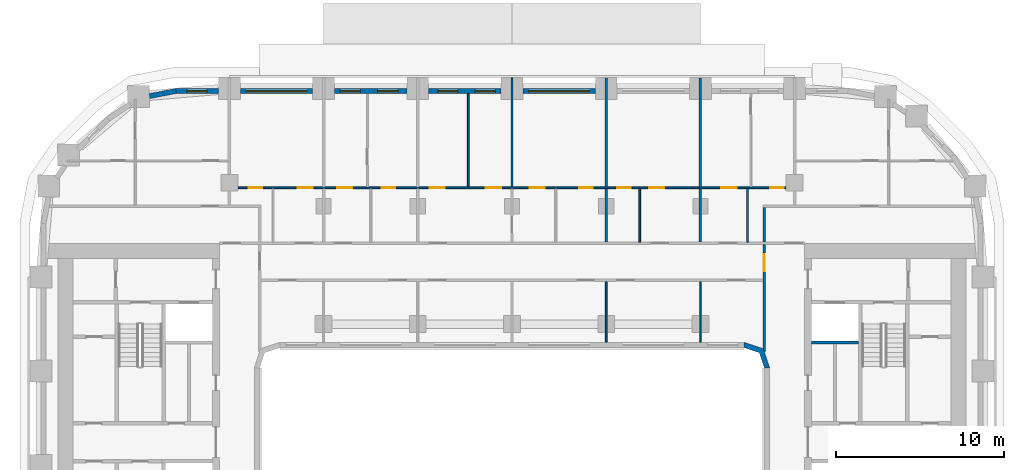
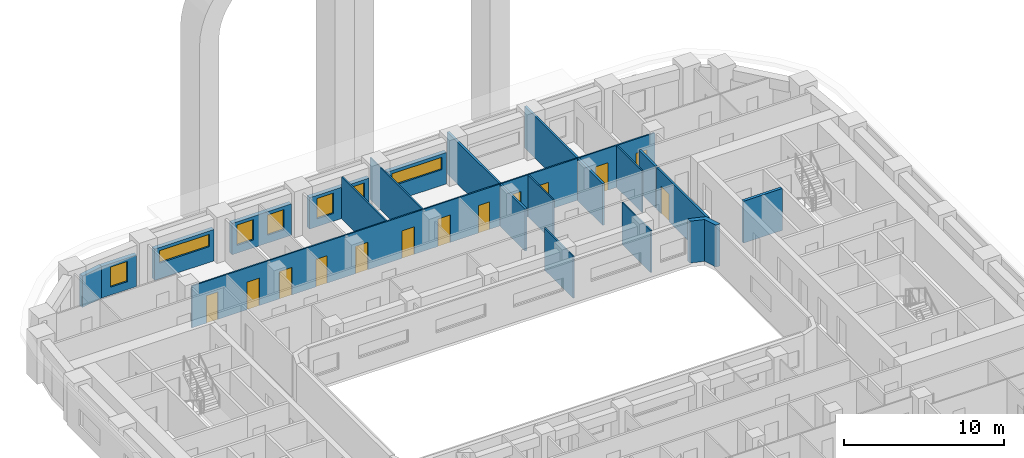
# One storey, part 9 of 19: 21 walls, 13 doors, 7 windows, 20 openings.
"""IFC4 building model written with IfcOpenShell, lengths in metres."""

from ifc_helpers import new_model, si_unit, direction, frame, frame_2d, origin, place, context, subcontext, project, spatial, polyline, rectangle, outline, extrude, material, layer, layer_set, type_object, element, fill, save


model = new_model("IFC4")

# Units and contexts
model_context = context("Model", 3, precision=1e-05, world=origin(), true_north=direction((0.0, 1.0)))
body_context = subcontext(model_context, "Body", "Model", "MODEL_VIEW")
ifc_project = project(units=[si_unit("LENGTHUNIT", "METRE"), si_unit("AREAUNIT", "SQUARE_METRE"), si_unit("VOLUMEUNIT", "CUBIC_METRE"), si_unit("PLANEANGLEUNIT", "RADIAN"), si_unit("MASSUNIT", "GRAM", prefix="KILO")], contexts=[model_context])

# Site, building, storey
site_placement = place(None, origin())
site = spatial("IfcSite", under=ifc_project, at=site_placement, CompositionType="ELEMENT")
building_placement = place(site_placement, origin())
building = spatial("IfcBuilding", under=site, at=building_placement, Name="Kiln Ring Residences", CompositionType="ELEMENT")
storey_placement = place(building_placement, frame((0.0, 0.0, 104.300048828125)))
storey = spatial("IfcBuildingStorey", under=building, at=storey_placement, Name="L26", CompositionType="ELEMENT", Elevation=104.300048828125)

# Wall
ifc_material_1 = material(Name="Gypsum shaft wall system")
ifc_layer_1 = layer(ifc_material_1, 0.199951171875)
ifc_layer_set_1 = layer_set([ifc_layer_1], Name="CORE-SHAFT-WALL-200")
wall_type_1 = type_object("IfcWallType", Name="CORE-SHAFT-WALL-200", PredefinedType="PARTITIONING", material=ifc_layer_set_1)
wall_1_placement = place(storey_placement, frame((17.800048828125, 7.300048828125, 0.0), z_axis=(0.0, 0.0, 1.0), x_axis=(1.0, 0.0, 0.0)))
element("IfcWall", 1, at=wall_1_placement, inside=storey, type_object=wall_type_1, Name="Core partition east L26 12", PredefinedType="PARTITIONING", context=body_context, shape_type="SweptSolid", body=[
    extrude(rectangle(XDim=2.800048828125, YDim=0.199951171875, at=frame_2d((1.39990234375, 0.0))), origin(), (0.0, 0.0, 1.0), 3.199951171875),
])

# Wall, opening, window
ifc_material_2 = material(Name="Brick masonry, dark clay brick", Category="masonry")
ifc_layer_2 = layer(ifc_material_2, 0.300048828125)
ifc_layer_set_2 = layer_set([ifc_layer_2], Name="EW-300 BRICK WALL")
wall_type_2 = type_object("IfcWallType", Name="EW-300 BRICK WALL", PredefinedType="SOLIDWALL", material=ifc_layer_set_2)
wall_2_placement = place(storey_placement, frame((4.949951171875, 22.25, 0.0), z_axis=(0.0, 0.0, 1.0), x_axis=(-1.0, 0.0, 0.0)))
wall_2 = element("IfcWall", 2, at=wall_2_placement, inside=storey, type_object=wall_type_2, Name="Facade wall L26 31", PredefinedType="SOLIDWALL", context=body_context, shape_type="SweptSolid", body=[
    extrude(rectangle(XDim=4.300048828125, YDim=0.300048828125, at=frame_2d((2.14990234375, 0.0))), origin(), (0.0, 0.0, 1.0), 2.39990234375),
])
opening_1_placement = place(wall_2_placement, frame((0.35009765625, 0.0, 1.199951171875)))
opening_1 = element("IfcOpeningElement", 3, at=opening_1_placement, cuts=wall_2, Name="Opening W4", PredefinedType="OPENING", context=body_context, shape_type="SweptSolid", body=[
    extrude(rectangle(XDim=3.60009765625, YDim=0.949951171875, at=frame_2d((1.800048828125, 0.47509765625))), frame((0.0, 0.159912109375, 0.0), z_axis=(0.0, -1.0, 0.0), x_axis=(1.0, 0.0, 0.0)), (0.0, 0.0, 1.0), 0.320068359375),
])
ifc_material_3 = material(Name="Aluminium frame with double glazing", Category="aluminium")
window_type_1 = type_object("IfcWindowType", Name="WINDOW 3600 x 950", PartitioningType="SINGLE_PANEL", PredefinedType="WINDOW", material=ifc_material_3)
window_1_placement = place(opening_1_placement, origin())
window_1 = element("IfcWindow", 4, at=window_1_placement, inside=storey, type_object=window_type_1, Name="Window L26 19", OverallHeight=0.949951171875, OverallWidth=3.60009765625, PartitioningType="SINGLE_PANEL", PredefinedType="WINDOW", context=body_context, shape_type="SweptSolid", body=[
    extrude(rectangle(XDim=3.60009765625, YDim=0.949951171875, at=frame_2d((1.800048828125, 0.47509765625))), frame((0.0, 0.030029296875, 0.0), z_axis=(0.0, -1.0, 0.0), x_axis=(1.0, 0.0, 0.0)), (0.0, 0.0, 1.0), 0.06005859375),
])
fill(opening_1, window_1)

# Wall, openings, windows
wall_3_placement = place(storey_placement, frame((-0.64990234375, 22.25, 0.0), z_axis=(0.0, 0.0, 1.0), x_axis=(-1.0, 0.0, 0.0)))
wall_3 = element("IfcWall", 5, at=wall_3_placement, inside=storey, type_object=wall_type_2, Name="Facade wall L26 32", PredefinedType="SOLIDWALL", context=body_context, shape_type="SweptSolid", body=[
    extrude(rectangle(XDim=4.300048828125, YDim=0.300048828125, at=frame_2d((2.14990234375, 0.0))), origin(), (0.0, 0.0, 1.0), 2.39990234375),
])
opening_2_placement = place(wall_3_placement, frame((0.33740234375, 0.0, 0.60009765625)))
opening_2 = element("IfcOpeningElement", 6, at=opening_2_placement, cuts=wall_3, Name="Opening W1", PredefinedType="OPENING", context=body_context, shape_type="SweptSolid", body=[
    extrude(rectangle(XDim=1.199951171875, YDim=1.550048828125, at=frame_2d((0.60009765625, 0.77490234375))), frame((0.0, 0.159912109375, 0.0), z_axis=(0.0, -1.0, 0.0), x_axis=(1.0, 0.0, 0.0)), (0.0, 0.0, 1.0), 0.320068359375),
])
opening_3_placement = place(wall_3_placement, frame((2.5625, 0.0, 0.60009765625)))
opening_3 = element("IfcOpeningElement", 7, at=opening_3_placement, cuts=wall_3, Name="Opening W1", PredefinedType="OPENING", context=body_context, shape_type="SweptSolid", body=[
    extrude(rectangle(XDim=1.199951171875, YDim=1.550048828125, at=frame_2d((0.60009765625, 0.77490234375))), frame((0.0, 0.159912109375, 0.0), z_axis=(0.0, -1.0, 0.0), x_axis=(1.0, 0.0, 0.0)), (0.0, 0.0, 1.0), 0.320068359375),
])
ifc_material_4 = material(Name="Aluminium frame with double glazing", Category="aluminium")
window_type_2 = type_object("IfcWindowType", Name="WINDOW 1200 x 1550", PartitioningType="SINGLE_PANEL", PredefinedType="WINDOW", material=ifc_material_4)
window_2_placement = place(opening_2_placement, origin())
window_2 = element("IfcWindow", 8, at=window_2_placement, inside=storey, type_object=window_type_2, Name="Window L26 20", OverallHeight=1.550048828125, OverallWidth=1.199951171875, PartitioningType="SINGLE_PANEL", PredefinedType="WINDOW", context=body_context, shape_type="SweptSolid", body=[
    extrude(rectangle(XDim=1.199951171875, YDim=1.550048828125, at=frame_2d((0.60009765625, 0.77490234375))), frame((0.0, 0.030029296875, 0.0), z_axis=(0.0, -1.0, 0.0), x_axis=(1.0, 0.0, 0.0)), (0.0, 0.0, 1.0), 0.06005859375),
])
fill(opening_2, window_2)
window_3_placement = place(opening_3_placement, origin())
window_3 = element("IfcWindow", 9, at=window_3_placement, inside=storey, type_object=window_type_2, Name="Window L26 21", OverallHeight=1.550048828125, OverallWidth=1.199951171875, PartitioningType="SINGLE_PANEL", PredefinedType="WINDOW", context=body_context, shape_type="SweptSolid", body=[
    extrude(rectangle(XDim=1.199951171875, YDim=1.550048828125, at=frame_2d((0.60009765625, 0.77490234375))), frame((0.0, 0.030029296875, 0.0), z_axis=(0.0, -1.0, 0.0), x_axis=(1.0, 0.0, 0.0)), (0.0, 0.0, 1.0), 0.06005859375),
])
fill(opening_3, window_3)

wall_4_placement = place(storey_placement, frame((-6.25, 22.25, 0.0), z_axis=(0.0, 0.0, 1.0), x_axis=(-1.0, 0.0, 0.0)))
wall_4 = element("IfcWall", 10, at=wall_4_placement, inside=storey, type_object=wall_type_2, Name="Facade wall L26 33", PredefinedType="SOLIDWALL", context=body_context, shape_type="SweptSolid", body=[
    extrude(rectangle(XDim=4.300048828125, YDim=0.300048828125, at=frame_2d((2.14990234375, 0.0))), origin(), (0.0, 0.0, 1.0), 2.39990234375),
])
opening_4_placement = place(wall_4_placement, frame((0.53759765625, 0.0, 0.60009765625)))
opening_4 = element("IfcOpeningElement", 11, at=opening_4_placement, cuts=wall_4, Name="Opening W1", PredefinedType="OPENING", context=body_context, shape_type="SweptSolid", body=[
    extrude(rectangle(XDim=1.199951171875, YDim=1.550048828125, at=frame_2d((0.60009765625, 0.77490234375))), frame((0.0, 0.159912109375, 0.0), z_axis=(0.0, -1.0, 0.0), x_axis=(1.0, 0.0, 0.0)), (0.0, 0.0, 1.0), 0.320068359375),
])
opening_5_placement = place(wall_4_placement, frame((2.762451171875, 0.0, 0.60009765625)))
opening_5 = element("IfcOpeningElement", 12, at=opening_5_placement, cuts=wall_4, Name="Opening W1", PredefinedType="OPENING", context=body_context, shape_type="SweptSolid", body=[
    extrude(rectangle(XDim=1.199951171875, YDim=1.550048828125, at=frame_2d((0.60009765625, 0.77490234375))), frame((0.0, 0.159912109375, 0.0), z_axis=(0.0, -1.0, 0.0), x_axis=(1.0, 0.0, 0.0)), (0.0, 0.0, 1.0), 0.320068359375),
])
window_4_placement = place(opening_4_placement, origin())
window_4 = element("IfcWindow", 13, at=window_4_placement, inside=storey, type_object=window_type_2, Name="Window L26 22", OverallHeight=1.550048828125, OverallWidth=1.199951171875, PartitioningType="SINGLE_PANEL", PredefinedType="WINDOW", context=body_context, shape_type="SweptSolid", body=[
    extrude(rectangle(XDim=1.199951171875, YDim=1.550048828125, at=frame_2d((0.60009765625, 0.77490234375))), frame((0.0, 0.030029296875, 0.0), z_axis=(0.0, -1.0, 0.0), x_axis=(1.0, 0.0, 0.0)), (0.0, 0.0, 1.0), 0.06005859375),
])
fill(opening_4, window_4)
window_5_placement = place(opening_5_placement, origin())
window_5 = element("IfcWindow", 14, at=window_5_placement, inside=storey, type_object=window_type_2, Name="Window L26 23", OverallHeight=1.550048828125, OverallWidth=1.199951171875, PartitioningType="SINGLE_PANEL", PredefinedType="WINDOW", context=body_context, shape_type="SweptSolid", body=[
    extrude(rectangle(XDim=1.199951171875, YDim=1.550048828125, at=frame_2d((0.60009765625, 0.77490234375))), frame((0.0, 0.030029296875, 0.0), z_axis=(0.0, -1.0, 0.0), x_axis=(1.0, 0.0, 0.0)), (0.0, 0.0, 1.0), 0.06005859375),
])
fill(opening_5, window_5)

# Wall, opening, window
wall_5_placement = place(storey_placement, frame((-11.85009765625, 22.25, 0.0), z_axis=(0.0, 0.0, 1.0), x_axis=(-1.0, 0.0, 0.0)))
wall_5 = element("IfcWall", 15, at=wall_5_placement, inside=storey, type_object=wall_type_2, Name="Facade wall L26 34", PredefinedType="SOLIDWALL", context=body_context, shape_type="SweptSolid", body=[
    extrude(rectangle(XDim=4.2998046875, YDim=0.300048828125, at=frame_2d((2.14990234375, 0.0))), origin(), (0.0, 0.0, 1.0), 2.39990234375),
])
opening_6_placement = place(wall_5_placement, frame((0.35009765625, 0.0, 1.199951171875)))
opening_6 = element("IfcOpeningElement", 16, at=opening_6_placement, cuts=wall_5, Name="Opening W4", PredefinedType="OPENING", context=body_context, shape_type="SweptSolid", body=[
    extrude(rectangle(XDim=3.60009765625, YDim=0.949951171875, at=frame_2d((1.800048828125, 0.47509765625))), frame((0.0, 0.159912109375, 0.0), z_axis=(0.0, -1.0, 0.0), x_axis=(1.0, 0.0, 0.0)), (0.0, 0.0, 1.0), 0.320068359375),
])
window_6_placement = place(opening_6_placement, origin())
window_6 = element("IfcWindow", 17, at=window_6_placement, inside=storey, type_object=window_type_1, Name="Window L26 24", OverallHeight=0.949951171875, OverallWidth=3.60009765625, PartitioningType="SINGLE_PANEL", PredefinedType="WINDOW", context=body_context, shape_type="SweptSolid", body=[
    extrude(rectangle(XDim=3.60009765625, YDim=0.949951171875, at=frame_2d((1.800048828125, 0.47509765625))), frame((0.0, 0.030029296875, 0.0), z_axis=(0.0, -1.0, 0.0), x_axis=(1.0, 0.0, 0.0)), (0.0, 0.0, 1.0), 0.06005859375),
])
fill(opening_6, window_6)

wall_6_placement = place(storey_placement, frame((-17.449951171875, 22.25, 0.0), z_axis=(0.0, 0.0, 1.0), x_axis=(-1.0, 0.0, 0.0)))
wall_6 = element("IfcWall", 18, at=wall_6_placement, inside=storey, type_object=wall_type_2, Name="Facade wall L26 35", PredefinedType="SOLIDWALL", context=body_context, shape_type="SweptSolid", body=[
    extrude(rectangle(XDim=2.550048828125, YDim=0.300048828125, at=frame_2d((1.27490234375, 0.0))), origin(), (0.0, 0.0, 1.0), 2.39990234375),
])
opening_7_placement = place(wall_6_placement, frame((0.675048828125, 0.0, 0.60009765625)))
opening_7 = element("IfcOpeningElement", 19, at=opening_7_placement, cuts=wall_6, Name="Opening W1", PredefinedType="OPENING", context=body_context, shape_type="SweptSolid", body=[
    extrude(rectangle(XDim=1.199951171875, YDim=1.550048828125, at=frame_2d((0.60009765625, 0.77490234375))), frame((0.0, 0.159912109375, 0.0), z_axis=(0.0, -1.0, 0.0), x_axis=(1.0, 0.0, 0.0)), (0.0, 0.0, 1.0), 0.320068359375),
])
window_7_placement = place(opening_7_placement, origin())
window_7 = element("IfcWindow", 20, at=window_7_placement, inside=storey, type_object=window_type_2, Name="Window L26 25", OverallHeight=1.550048828125, OverallWidth=1.199951171875, PartitioningType="SINGLE_PANEL", PredefinedType="WINDOW", context=body_context, shape_type="SweptSolid", body=[
    extrude(rectangle(XDim=1.199951171875, YDim=1.550048828125, at=frame_2d((0.60009765625, 0.77490234375))), frame((0.0, 0.030029296875, 0.0), z_axis=(0.0, -1.0, 0.0), x_axis=(1.0, 0.0, 0.0)), (0.0, 0.0, 1.0), 0.06005859375),
])
fill(opening_7, window_7)

# Walls
wall_7_placement = place(storey_placement, frame((-19.971923828125, 22.252685546875, 0.0), z_axis=(0.0, 0.0, 1.0), x_axis=(-0.982278644094, -0.187426426519, 0.0)))
element("IfcWall", 21, at=wall_7_placement, inside=storey, type_object=wall_type_2, Name="Facade wall L26 36", PredefinedType="SOLIDWALL", context=body_context, shape_type="SweptSolid", body=[
    extrude(rectangle(XDim=1.606201171875, YDim=0.300048828125, at=frame_2d((0.80322265625, 0.0))), origin(), (0.0, 0.0, 1.0), 2.39990234375),
])
wall_8_placement = place(storey_placement, origin())
element("IfcWall", 22, at=wall_8_placement, inside=storey, type_object=wall_type_2, Name="Corner wall L26 2", PredefinedType="SOLIDWALL", context=body_context, shape_type="SweptSolid", body=[
    extrude(outline(polyline([(14.937255859375, 6.937255859375), (13.8486328125, 7.300048828125), (13.800048828125, 7.300048828125), (13.800048828125, 7.0), (14.699951171875, 6.699951171875), (15.0, 5.800048828125), (15.300048828125, 5.800048828125), (15.300048828125, 5.8486328125), (14.937255859375, 6.937255859375)])), origin(), (0.0, 0.0, 1.0), 3.199951171875),
])

# Wall, openings, doors
ifc_material_5 = material(Name="Gypsum board on steel studs", Category="steel")
ifc_layer_3 = layer(ifc_material_5, 0.10009765625)
ifc_layer_set_3 = layer_set([ifc_layer_3], Name="PARTITION-100")
wall_type_3 = type_object("IfcWallType", Name="PARTITION-100", PredefinedType="PARTITIONING", material=ifc_layer_set_3)
wall_9_placement = place(storey_placement, frame((-16.72509765625, 16.5, 0.0), z_axis=(0.0, 0.0, 1.0), x_axis=(1.0, 0.0, 0.0)))
wall_9 = element("IfcWall", 23, at=wall_9_placement, inside=storey, type_object=wall_type_3, Name="Partition 011", PredefinedType="PARTITIONING", context=body_context, shape_type="SweptSolid", body=[
    extrude(rectangle(XDim=33.4501953125, YDim=0.10009765625, at=frame_2d((16.72509765625, 0.0))), origin(), (0.0, 0.0, 1.0), 3.199951171875),
])
opening_8_placement = place(wall_9_placement, frame((1.074951171875, 0.0, 0.0)))
opening_8 = element("IfcOpeningElement", 24, at=opening_8_placement, cuts=wall_9, Name="Opening L26-D016", PredefinedType="OPENING", context=body_context, shape_type="SweptSolid", body=[
    extrude(rectangle(XDim=0.800048828125, YDim=2.10009765625, at=frame_2d((0.39990234375, 1.050048828125))), frame((0.0, 0.06005859375, 0.0), z_axis=(0.0, -1.0, 0.0), x_axis=(1.0, 0.0, 0.0)), (0.0, 0.0, 1.0), 0.1201171875),
])
opening_9_placement = place(wall_9_placement, frame((3.97509765625, 0.0, 0.0)))
opening_9 = element("IfcOpeningElement", 25, at=opening_9_placement, cuts=wall_9, Name="Opening L26-D017", PredefinedType="OPENING", context=body_context, shape_type="SweptSolid", body=[
    extrude(rectangle(XDim=0.89990234375, YDim=2.10009765625, at=frame_2d((0.449951171875, 1.050048828125))), frame((0.0, 0.06005859375, 0.0), z_axis=(0.0, -1.0, 0.0), x_axis=(1.0, 0.0, 0.0)), (0.0, 0.0, 1.0), 0.1201171875),
])
opening_10_placement = place(wall_9_placement, frame((8.97509765625, 0.0, 0.0)))
opening_10 = element("IfcOpeningElement", 26, at=opening_10_placement, cuts=wall_9, Name="Opening L26-D019", PredefinedType="OPENING", context=body_context, shape_type="SweptSolid", body=[
    extrude(rectangle(XDim=0.800048828125, YDim=2.10009765625, at=frame_2d((0.39990234375, 1.050048828125))), frame((0.0, 0.06005859375, 0.0), z_axis=(0.0, -1.0, 0.0), x_axis=(1.0, 0.0, 0.0)), (0.0, 0.0, 1.0), 0.1201171875),
])
opening_11_placement = place(wall_9_placement, frame((6.324951171875, 0.0, 0.0)))
opening_11 = element("IfcOpeningElement", 27, at=opening_11_placement, cuts=wall_9, Name="Opening L26-D020", PredefinedType="OPENING", context=body_context, shape_type="SweptSolid", body=[
    extrude(rectangle(XDim=0.89990234375, YDim=2.10009765625, at=frame_2d((0.449951171875, 1.050048828125))), frame((0.0, 0.06005859375, 0.0), z_axis=(0.0, -1.0, 0.0), x_axis=(1.0, 0.0, 0.0)), (0.0, 0.0, 1.0), 0.1201171875),
])
opening_12_placement = place(wall_9_placement, frame((20.72509765625, 0.0, 0.0)))
opening_12 = element("IfcOpeningElement", 28, at=opening_12_placement, cuts=wall_9, Name="Opening L26-D024", PredefinedType="OPENING", context=body_context, shape_type="SweptSolid", body=[
    extrude(rectangle(XDim=0.800048828125, YDim=2.10009765625, at=frame_2d((0.39990234375, 1.050048828125))), frame((0.0, 0.06005859375, 0.0), z_axis=(0.0, -1.0, 0.0), x_axis=(1.0, 0.0, 0.0)), (0.0, 0.0, 1.0), 0.1201171875),
])
opening_13_placement = place(wall_9_placement, frame((17.77490234375, 0.0, 0.0)))
opening_13 = element("IfcOpeningElement", 29, at=opening_13_placement, cuts=wall_9, Name="Opening L26-D025", PredefinedType="OPENING", context=body_context, shape_type="SweptSolid", body=[
    extrude(rectangle(XDim=0.89990234375, YDim=2.10009765625, at=frame_2d((0.449951171875, 1.050048828125))), frame((0.0, 0.06005859375, 0.0), z_axis=(0.0, -1.0, 0.0), x_axis=(1.0, 0.0, 0.0)), (0.0, 0.0, 1.0), 0.1201171875),
])
opening_14_placement = place(wall_9_placement, frame((11.824951171875, 0.0, 0.0)))
opening_14 = element("IfcOpeningElement", 30, at=opening_14_placement, cuts=wall_9, Name="Opening L26-D026", PredefinedType="OPENING", context=body_context, shape_type="SweptSolid", body=[
    extrude(rectangle(XDim=0.89990234375, YDim=2.10009765625, at=frame_2d((0.449951171875, 1.050048828125))), frame((0.0, 0.06005859375, 0.0), z_axis=(0.0, -1.0, 0.0), x_axis=(1.0, 0.0, 0.0)), (0.0, 0.0, 1.0), 0.1201171875),
])
opening_15_placement = place(wall_9_placement, frame((15.175048828125, 0.0, 0.0)))
opening_15 = element("IfcOpeningElement", 31, at=opening_15_placement, cuts=wall_9, Name="Opening L26-D027", PredefinedType="OPENING", context=body_context, shape_type="SweptSolid", body=[
    extrude(rectangle(XDim=0.89990234375, YDim=2.10009765625, at=frame_2d((0.449951171875, 1.050048828125))), frame((0.0, 0.06005859375, 0.0), z_axis=(0.0, -1.0, 0.0), x_axis=(1.0, 0.0, 0.0)), (0.0, 0.0, 1.0), 0.1201171875),
])
opening_16_placement = place(wall_9_placement, frame((22.97509765625, 0.0, 0.0)))
opening_16 = element("IfcOpeningElement", 32, at=opening_16_placement, cuts=wall_9, Name="Opening L26-D029", PredefinedType="OPENING", context=body_context, shape_type="SweptSolid", body=[
    extrude(rectangle(XDim=0.800048828125, YDim=2.10009765625, at=frame_2d((0.39990234375, 1.050048828125))), frame((0.0, 0.06005859375, 0.0), z_axis=(0.0, -1.0, 0.0), x_axis=(1.0, 0.0, 0.0)), (0.0, 0.0, 1.0), 0.1201171875),
])
opening_17_placement = place(wall_9_placement, frame((24.875, 0.0, 0.0)))
opening_17 = element("IfcOpeningElement", 33, at=opening_17_placement, cuts=wall_9, Name="Opening L26-D030", PredefinedType="OPENING", context=body_context, shape_type="SweptSolid", body=[
    extrude(rectangle(XDim=0.89990234375, YDim=2.10009765625, at=frame_2d((0.449951171875, 1.050048828125))), frame((0.0, 0.06005859375, 0.0), z_axis=(0.0, -1.0, 0.0), x_axis=(1.0, 0.0, 0.0)), (0.0, 0.0, 1.0), 0.1201171875),
])
opening_18_placement = place(wall_9_placement, frame((32.074951171875, 0.0, 0.0)))
opening_18 = element("IfcOpeningElement", 34, at=opening_18_placement, cuts=wall_9, Name="Opening L26-D032", PredefinedType="OPENING", context=body_context, shape_type="SweptSolid", body=[
    extrude(rectangle(XDim=0.800048828125, YDim=2.10009765625, at=frame_2d((0.39990234375, 1.050048828125))), frame((0.0, 0.06005859375, 0.0), z_axis=(0.0, -1.0, 0.0), x_axis=(1.0, 0.0, 0.0)), (0.0, 0.0, 1.0), 0.1201171875),
])
opening_19_placement = place(wall_9_placement, frame((29.175048828125, 0.0, 0.0)))
opening_19 = element("IfcOpeningElement", 35, at=opening_19_placement, cuts=wall_9, Name="Opening L26-D033", PredefinedType="OPENING", context=body_context, shape_type="SweptSolid", body=[
    extrude(rectangle(XDim=0.89990234375, YDim=2.10009765625, at=frame_2d((0.449951171875, 1.050048828125))), frame((0.0, 0.06005859375, 0.0), z_axis=(0.0, -1.0, 0.0), x_axis=(1.0, 0.0, 0.0)), (0.0, 0.0, 1.0), 0.1201171875),
])
ifc_material_6 = material(Name="Timber door leaf", Category="wood")
door_type_1 = type_object("IfcDoorType", Name="FLAT-DOOR-800-PL", OperationType="SINGLE_SWING_LEFT", PredefinedType="DOOR", material=ifc_material_6)
door_1_placement = place(opening_8_placement, origin())
door_1 = element("IfcDoor", 36, at=door_1_placement, inside=storey, type_object=door_type_1, Name="Door L26-D016", OperationType="SINGLE_SWING_RIGHT", OverallHeight=2.10009765625, OverallWidth=0.800048828125, PredefinedType="DOOR", context=body_context, shape_type="SweptSolid", body=[
    extrude(rectangle(XDim=0.800048828125, YDim=2.10009765625, at=frame_2d((0.39990234375, 1.050048828125))), frame((0.0, 0.02490234375, 0.0), z_axis=(0.0, -1.0, 0.0), x_axis=(1.0, 0.0, 0.0)), (0.0, 0.0, 1.0), 0.050048828125),
])
fill(opening_8, door_1)
door_2_placement = place(opening_10_placement, origin())
door_2 = element("IfcDoor", 37, at=door_2_placement, inside=storey, type_object=door_type_1, Name="Door L26-D019", OperationType="SINGLE_SWING_LEFT", OverallHeight=2.10009765625, OverallWidth=0.800048828125, PredefinedType="DOOR", context=body_context, shape_type="SweptSolid", body=[
    extrude(rectangle(XDim=0.800048828125, YDim=2.10009765625, at=frame_2d((0.39990234375, 1.050048828125))), frame((0.0, 0.02490234375, 0.0), z_axis=(0.0, -1.0, 0.0), x_axis=(1.0, 0.0, 0.0)), (0.0, 0.0, 1.0), 0.050048828125),
])
fill(opening_10, door_2)
door_3_placement = place(opening_12_placement, origin())
door_3 = element("IfcDoor", 38, at=door_3_placement, inside=storey, type_object=door_type_1, Name="Door L26-D024", OperationType="SINGLE_SWING_RIGHT", OverallHeight=2.10009765625, OverallWidth=0.800048828125, PredefinedType="DOOR", context=body_context, shape_type="SweptSolid", body=[
    extrude(rectangle(XDim=0.800048828125, YDim=2.10009765625, at=frame_2d((0.39990234375, 1.050048828125))), frame((0.0, 0.02490234375, 0.0), z_axis=(0.0, -1.0, 0.0), x_axis=(1.0, 0.0, 0.0)), (0.0, 0.0, 1.0), 0.050048828125),
])
fill(opening_12, door_3)
door_4_placement = place(opening_16_placement, origin())
door_4 = element("IfcDoor", 39, at=door_4_placement, inside=storey, type_object=door_type_1, Name="Door L26-D029", OperationType="SINGLE_SWING_LEFT", OverallHeight=2.10009765625, OverallWidth=0.800048828125, PredefinedType="DOOR", context=body_context, shape_type="SweptSolid", body=[
    extrude(rectangle(XDim=0.800048828125, YDim=2.10009765625, at=frame_2d((0.39990234375, 1.050048828125))), frame((0.0, 0.02490234375, 0.0), z_axis=(0.0, -1.0, 0.0), x_axis=(1.0, 0.0, 0.0)), (0.0, 0.0, 1.0), 0.050048828125),
])
fill(opening_16, door_4)
door_5_placement = place(opening_18_placement, origin())
door_5 = element("IfcDoor", 40, at=door_5_placement, inside=storey, type_object=door_type_1, Name="Door L26-D032", OperationType="SINGLE_SWING_RIGHT", OverallHeight=2.10009765625, OverallWidth=0.800048828125, PredefinedType="DOOR", context=body_context, shape_type="SweptSolid", body=[
    extrude(rectangle(XDim=0.800048828125, YDim=2.10009765625, at=frame_2d((0.39990234375, 1.050048828125))), frame((0.0, 0.02490234375, 0.0), z_axis=(0.0, -1.0, 0.0), x_axis=(1.0, 0.0, 0.0)), (0.0, 0.0, 1.0), 0.050048828125),
])
fill(opening_18, door_5)
ifc_material_7 = material(Name="Timber door leaf", Category="wood")
door_type_2 = type_object("IfcDoorType", Name="FLAT-DOOR-900-PL", OperationType="SINGLE_SWING_LEFT", PredefinedType="DOOR", material=ifc_material_7)
door_6_placement = place(opening_9_placement, origin())
door_6 = element("IfcDoor", 41, at=door_6_placement, inside=storey, type_object=door_type_2, Name="Door L26-D017", OperationType="SINGLE_SWING_LEFT", OverallHeight=2.10009765625, OverallWidth=0.89990234375, PredefinedType="DOOR", context=body_context, shape_type="SweptSolid", body=[
    extrude(rectangle(XDim=0.89990234375, YDim=2.10009765625, at=frame_2d((0.449951171875, 1.050048828125))), frame((0.0, 0.02490234375, 0.0), z_axis=(0.0, -1.0, 0.0), x_axis=(1.0, 0.0, 0.0)), (0.0, 0.0, 1.0), 0.050048828125),
])
fill(opening_9, door_6)
door_7_placement = place(opening_11_placement, origin())
door_7 = element("IfcDoor", 42, at=door_7_placement, inside=storey, type_object=door_type_2, Name="Door L26-D020", OperationType="SINGLE_SWING_RIGHT", OverallHeight=2.10009765625, OverallWidth=0.89990234375, PredefinedType="DOOR", context=body_context, shape_type="SweptSolid", body=[
    extrude(rectangle(XDim=0.89990234375, YDim=2.10009765625, at=frame_2d((0.449951171875, 1.050048828125))), frame((0.0, 0.02490234375, 0.0), z_axis=(0.0, -1.0, 0.0), x_axis=(1.0, 0.0, 0.0)), (0.0, 0.0, 1.0), 0.050048828125),
])
fill(opening_11, door_7)
door_8_placement = place(opening_13_placement, origin())
door_8 = element("IfcDoor", 43, at=door_8_placement, inside=storey, type_object=door_type_2, Name="Door L26-D025", OperationType="SINGLE_SWING_LEFT", OverallHeight=2.10009765625, OverallWidth=0.89990234375, PredefinedType="DOOR", context=body_context, shape_type="SweptSolid", body=[
    extrude(rectangle(XDim=0.89990234375, YDim=2.10009765625, at=frame_2d((0.449951171875, 1.050048828125))), frame((0.0, 0.02490234375, 0.0), z_axis=(0.0, -1.0, 0.0), x_axis=(1.0, 0.0, 0.0)), (0.0, 0.0, 1.0), 0.050048828125),
])
fill(opening_13, door_8)
door_9_placement = place(opening_14_placement, origin())
door_9 = element("IfcDoor", 44, at=door_9_placement, inside=storey, type_object=door_type_2, Name="Door L26-D026", OperationType="SINGLE_SWING_RIGHT", OverallHeight=2.10009765625, OverallWidth=0.89990234375, PredefinedType="DOOR", context=body_context, shape_type="SweptSolid", body=[
    extrude(rectangle(XDim=0.89990234375, YDim=2.10009765625, at=frame_2d((0.449951171875, 1.050048828125))), frame((0.0, 0.02490234375, 0.0), z_axis=(0.0, -1.0, 0.0), x_axis=(1.0, 0.0, 0.0)), (0.0, 0.0, 1.0), 0.050048828125),
])
fill(opening_14, door_9)
door_10_placement = place(opening_15_placement, origin())
door_10 = element("IfcDoor", 45, at=door_10_placement, inside=storey, type_object=door_type_2, Name="Door L26-D027", OperationType="SINGLE_SWING_LEFT", OverallHeight=2.10009765625, OverallWidth=0.89990234375, PredefinedType="DOOR", context=body_context, shape_type="SweptSolid", body=[
    extrude(rectangle(XDim=0.89990234375, YDim=2.10009765625, at=frame_2d((0.449951171875, 1.050048828125))), frame((0.0, 0.02490234375, 0.0), z_axis=(0.0, -1.0, 0.0), x_axis=(1.0, 0.0, 0.0)), (0.0, 0.0, 1.0), 0.050048828125),
])
fill(opening_15, door_10)
door_11_placement = place(opening_17_placement, origin())
door_11 = element("IfcDoor", 46, at=door_11_placement, inside=storey, type_object=door_type_2, Name="Door L26-D030", OperationType="SINGLE_SWING_RIGHT", OverallHeight=2.10009765625, OverallWidth=0.89990234375, PredefinedType="DOOR", context=body_context, shape_type="SweptSolid", body=[
    extrude(rectangle(XDim=0.89990234375, YDim=2.10009765625, at=frame_2d((0.449951171875, 1.050048828125))), frame((0.0, 0.02490234375, 0.0), z_axis=(0.0, -1.0, 0.0), x_axis=(1.0, 0.0, 0.0)), (0.0, 0.0, 1.0), 0.050048828125),
])
fill(opening_17, door_11)
door_12_placement = place(opening_19_placement, origin())
door_12 = element("IfcDoor", 47, at=door_12_placement, inside=storey, type_object=door_type_2, Name="Door L26-D033", OperationType="SINGLE_SWING_LEFT", OverallHeight=2.10009765625, OverallWidth=0.89990234375, PredefinedType="DOOR", context=body_context, shape_type="SweptSolid", body=[
    extrude(rectangle(XDim=0.89990234375, YDim=2.10009765625, at=frame_2d((0.449951171875, 1.050048828125))), frame((0.0, 0.02490234375, 0.0), z_axis=(0.0, -1.0, 0.0), x_axis=(1.0, 0.0, 0.0)), (0.0, 0.0, 1.0), 0.050048828125),
])
fill(opening_19, door_12)

# Walls
wall_10_placement = place(storey_placement, frame((-2.60009765625, 16.550048828125, 0.0), z_axis=(0.0, 0.0, 1.0), x_axis=(0.0, 1.0, 0.0)))
element("IfcWall", 48, at=wall_10_placement, inside=storey, type_object=wall_type_3, Name="Partition 044", PredefinedType="PARTITIONING", context=body_context, shape_type="SweptSolid", body=[
    extrude(rectangle(XDim=5.530029296875, YDim=0.10009765625, at=frame_2d((2.76513671875, 0.0))), origin(), (0.0, 0.0, 1.0), 3.199951171875),
])
wall_11_placement = place(storey_placement, frame((0.0, 16.550048828125, 0.0), z_axis=(0.0, 0.0, 1.0), x_axis=(0.0, 1.0, 0.0)))
element("IfcWall", 49, at=wall_11_placement, inside=storey, type_object=wall_type_3, Name="Partition 049", PredefinedType="PARTITIONING", context=body_context, shape_type="SweptSolid", body=[
    extrude(rectangle(XDim=6.47998046875, YDim=0.10009765625, at=frame_2d((3.239990234375, 0.0))), origin(), (0.0, 0.0, 1.0), 3.199951171875),
])
wall_12_placement = place(storey_placement, frame((5.60009765625, 7.320068359375, 0.0), z_axis=(0.0, 0.0, 1.0), x_axis=(0.0, 1.0, 0.0)))
element("IfcWall", 50, at=wall_12_placement, inside=storey, type_object=wall_type_3, Name="Partition 055", PredefinedType="PARTITIONING", context=body_context, shape_type="SweptSolid", body=[
    extrude(rectangle(XDim=3.60498046875, YDim=0.10009765625, at=frame_2d((1.802490234375, 0.0))), origin(), (0.0, 0.0, 1.0), 3.199951171875),
])
wall_13_placement = place(storey_placement, frame((7.60009765625, 13.27490234375, 0.0), z_axis=(0.0, 0.0, 1.0), x_axis=(0.0, 1.0, 0.0)))
element("IfcWall", 51, at=wall_13_placement, inside=storey, type_object=wall_type_3, Name="Partition 061", PredefinedType="PARTITIONING", context=body_context, shape_type="SweptSolid", body=[
    extrude(rectangle(XDim=3.175048828125, YDim=0.10009765625, at=frame_2d((1.58740234375, 0.0))), origin(), (0.0, 0.0, 1.0), 3.199951171875),
])
wall_14_placement = place(storey_placement, frame((11.199951171875, 7.320068359375, 0.0), z_axis=(0.0, 0.0, 1.0), x_axis=(0.0, 1.0, 0.0)))
element("IfcWall", 52, at=wall_14_placement, inside=storey, type_object=wall_type_3, Name="Partition 066", PredefinedType="PARTITIONING", context=body_context, shape_type="SweptSolid", body=[
    extrude(rectangle(XDim=3.60498046875, YDim=0.10009765625, at=frame_2d((1.802490234375, 0.0))), origin(), (0.0, 0.0, 1.0), 3.199951171875),
])
wall_15_placement = place(storey_placement, frame((14.0, 13.27490234375, 0.0), z_axis=(0.0, 0.0, 1.0), x_axis=(0.0, 1.0, 0.0)))
element("IfcWall", 53, at=wall_15_placement, inside=storey, type_object=wall_type_3, Name="Partition 071", PredefinedType="PARTITIONING", context=body_context, shape_type="SweptSolid", body=[
    extrude(rectangle(XDim=3.175048828125, YDim=0.10009765625, at=frame_2d((1.58740234375, 0.0))), origin(), (0.0, 0.0, 1.0), 3.199951171875),
])
ifc_material_8 = material(Name="Brick masonry partition", Category="masonry")
ifc_layer_4 = layer(ifc_material_8, 0.14990234375)
ifc_layer_set_4 = layer_set([ifc_layer_4], Name="PARTITION-150-ei60")
wall_type_4 = type_object("IfcWallType", Name="PARTITION-150-ei60", PredefinedType="PARTITIONING", material=ifc_layer_set_4)
wall_16_placement = place(storey_placement, frame((5.60009765625, 13.27490234375, 0.0), z_axis=(0.0, 0.0, 1.0), x_axis=(0.0, 1.0, 0.0)))
element("IfcWall", 54, at=wall_16_placement, inside=storey, type_object=wall_type_4, Name="Partition 059", PredefinedType="PARTITIONING", context=body_context, shape_type="SweptSolid", body=[
    extrude(rectangle(XDim=3.175048828125, YDim=0.14990234375, at=frame_2d((1.58740234375, 0.0))), origin(), (0.0, 0.0, 1.0), 3.199951171875),
])
wall_17_placement = place(storey_placement, frame((5.60009765625, 16.550048828125, 0.0), z_axis=(0.0, 0.0, 1.0), x_axis=(0.0, 1.0, 0.0)))
element("IfcWall", 55, at=wall_17_placement, inside=storey, type_object=wall_type_4, Name="Partition 060", PredefinedType="PARTITIONING", context=body_context, shape_type="SweptSolid", body=[
    extrude(rectangle(XDim=6.47998046875, YDim=0.14990234375, at=frame_2d((3.239990234375, 0.0))), origin(), (0.0, 0.0, 1.0), 3.199951171875),
])
wall_18_placement = place(storey_placement, frame((11.199951171875, 13.27490234375, 0.0), z_axis=(0.0, 0.0, 1.0), x_axis=(0.0, 1.0, 0.0)))
element("IfcWall", 56, at=wall_18_placement, inside=storey, type_object=wall_type_4, Name="Partition 069", PredefinedType="PARTITIONING", context=body_context, shape_type="SweptSolid", body=[
    extrude(rectangle(XDim=3.175048828125, YDim=0.14990234375, at=frame_2d((1.58740234375, 0.0))), origin(), (0.0, 0.0, 1.0), 3.199951171875),
])
wall_19_placement = place(storey_placement, frame((11.199951171875, 16.550048828125, 0.0), z_axis=(0.0, 0.0, 1.0), x_axis=(0.0, 1.0, 0.0)))
element("IfcWall", 57, at=wall_19_placement, inside=storey, type_object=wall_type_4, Name="Partition 070", PredefinedType="PARTITIONING", context=body_context, shape_type="SweptSolid", body=[
    extrude(rectangle(XDim=6.47998046875, YDim=0.14990234375, at=frame_2d((3.239990234375, 0.0))), origin(), (0.0, 0.0, 1.0), 3.199951171875),
])

# Wall, opening, door
wall_20_placement = place(storey_placement, frame((15.0, 6.768798828125, 0.0), z_axis=(0.0, 0.0, 1.0), x_axis=(0.0, 1.0, 0.0)))
wall_20 = element("IfcWall", 58, at=wall_20_placement, inside=storey, type_object=wall_type_4, Name="Partition 076", PredefinedType="PARTITIONING", context=body_context, shape_type="SweptSolid", body=[
    extrude(rectangle(XDim=6.356201171875, YDim=0.14990234375, at=frame_2d((3.17822265625, 0.0))), origin(), (0.0, 0.0, 1.0), 3.199951171875),
])
opening_20_placement = place(wall_20_placement, frame((4.78125, 0.0, 0.0)))
opening_20 = element("IfcOpeningElement", 59, at=opening_20_placement, cuts=wall_20, Name="Opening L26-D002", PredefinedType="OPENING", context=body_context, shape_type="SweptSolid", body=[
    extrude(rectangle(XDim=1.0, YDim=2.10009765625, at=frame_2d((0.5, 1.050048828125))), frame((0.0, 0.0849609375, 0.0), z_axis=(0.0, -1.0, 0.0), x_axis=(1.0, 0.0, 0.0)), (0.0, 0.0, 1.0), 0.169921875),
])
ifc_material_9 = material(Name="Steel faced fire door leaf", Category="steel")
door_type_3 = type_object("IfcDoorType", Name="FLAT-DOOR-1000-FR", OperationType="SINGLE_SWING_LEFT", PredefinedType="DOOR", material=ifc_material_9)
door_13_placement = place(opening_20_placement, origin())
door_13 = element("IfcDoor", 60, at=door_13_placement, inside=storey, type_object=door_type_3, Name="Door L26-D002", OperationType="SINGLE_SWING_LEFT", OverallHeight=2.10009765625, OverallWidth=1.0, PredefinedType="DOOR", context=body_context, shape_type="SweptSolid", body=[
    extrude(rectangle(XDim=1.0, YDim=2.10009765625, at=frame_2d((0.5, 1.050048828125))), frame((0.0, 0.02490234375, 0.0), z_axis=(0.0, -1.0, 0.0), x_axis=(1.0, 0.0, 0.0)), (0.0, 0.0, 1.0), 0.050048828125),
])
fill(opening_20, door_13)

# Wall
wall_21_placement = place(storey_placement, frame((15.0, 13.27490234375, 0.0), z_axis=(0.0, 0.0, 1.0), x_axis=(0.0, 1.0, 0.0)))
element("IfcWall", 61, at=wall_21_placement, inside=storey, type_object=wall_type_4, Name="Partition 077", PredefinedType="PARTITIONING", context=body_context, shape_type="SweptSolid", body=[
    extrude(rectangle(XDim=2.050048828125, YDim=0.14990234375, at=frame_2d((1.02490234375, 0.0))), origin(), (0.0, 0.0, 1.0), 3.199951171875),
])

save(model, "model.ifc")
